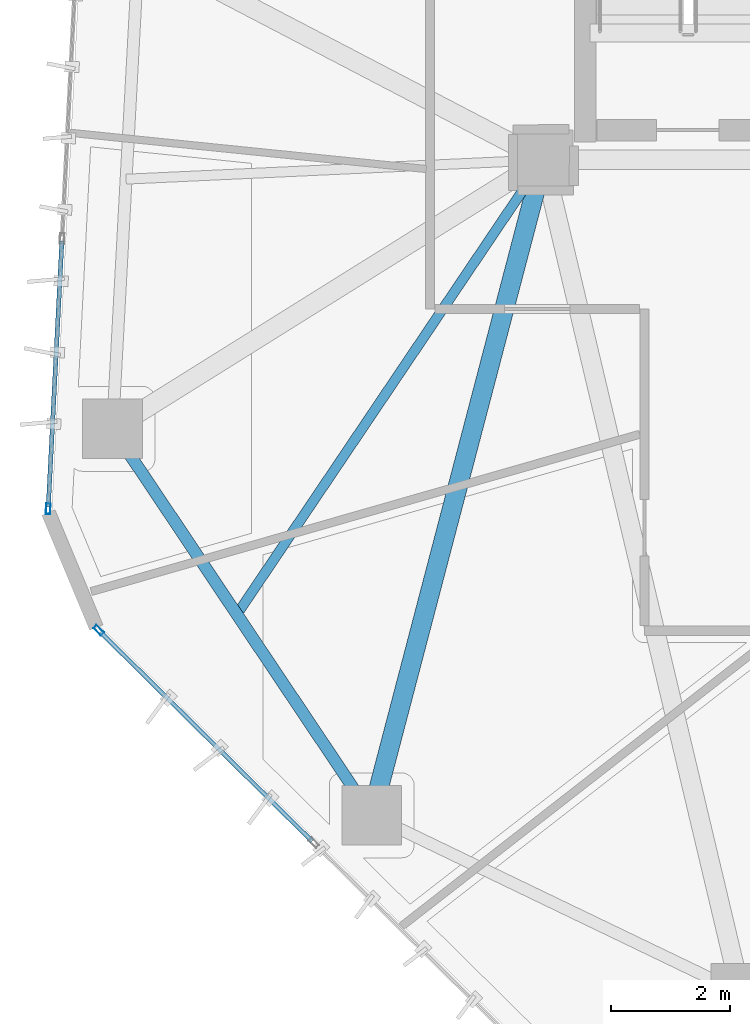
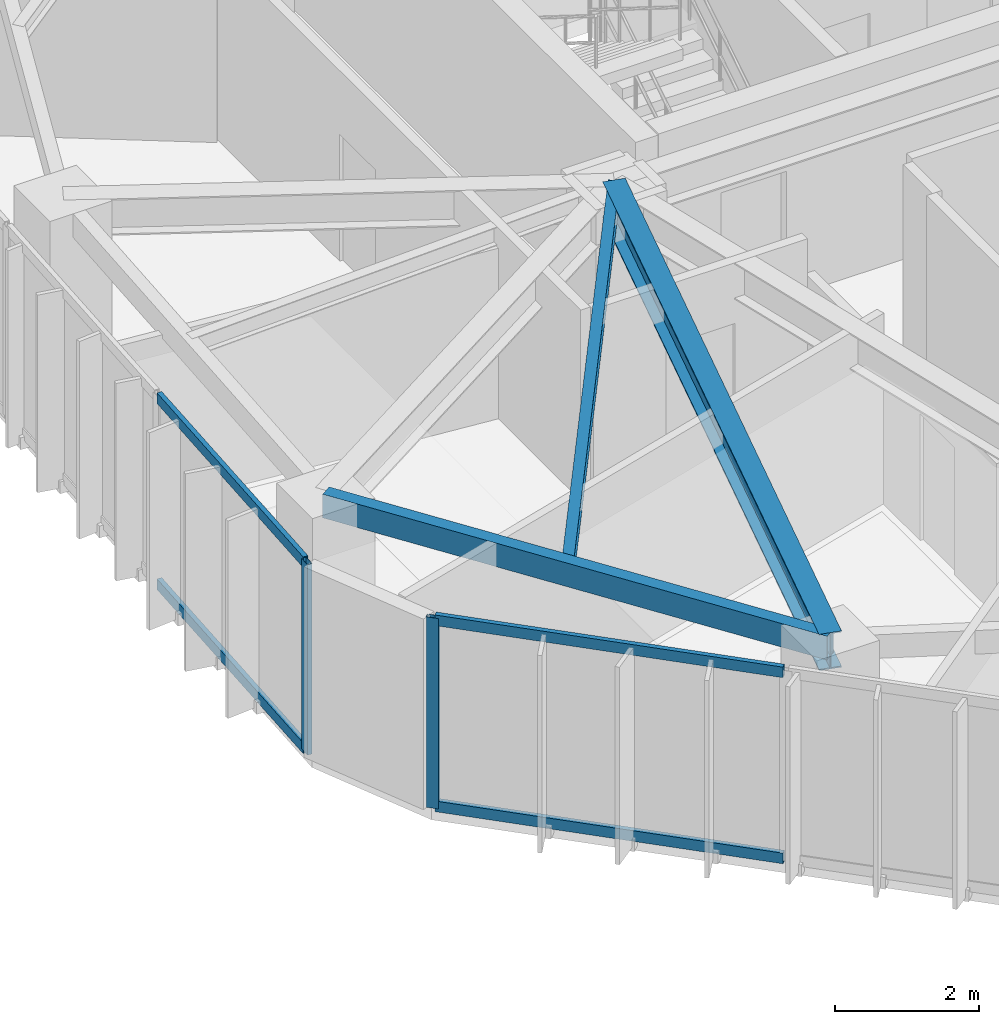
# One storey, part 3 of 19: 6 members, 3 beams, 2 elements without a shape of their own.
"""IFC4 building model written with IfcOpenShell, lengths in metres."""

from ifc_helpers import new_model, si_unit, direction, frame, origin, origin_2d, place, context, subcontext, project, spatial, hollow_rectangle, i_section, extrude, source, transform, mapped, material, layer, layer_set, material_profile, profile_set, type_object, type_shapes, element, aggregate, save


model = new_model("IFC4")

# Units and contexts
model_context = context("Model", 3, precision=1e-05, world=origin(), true_north=direction((0.0, 1.0)))
body_context = subcontext(model_context, "Body", "Model", "MODEL_VIEW")
ifc_project = project(units=[si_unit("LENGTHUNIT", "METRE"), si_unit("AREAUNIT", "SQUARE_METRE"), si_unit("VOLUMEUNIT", "CUBIC_METRE"), si_unit("PLANEANGLEUNIT", "RADIAN"), si_unit("MASSUNIT", "GRAM", prefix="KILO")], contexts=[model_context])

# Site, building, storey
site_placement = place(None, origin())
site = spatial("IfcSite", under=ifc_project, at=site_placement, CompositionType="ELEMENT")
building_placement = place(site_placement, origin())
building = spatial("IfcBuilding", under=site, at=building_placement, Name="Talar Marvaseh", CompositionType="ELEMENT")
storey_placement = place(building_placement, frame((0.0, 0.0, 218.699951171875)))
storey = spatial("IfcBuildingStorey", under=building, at=storey_placement, Name="L57", CompositionType="ELEMENT", Elevation=218.699951171875)

# Beams
ifc_material_1 = material(Name="Steel S355", Category="steel")
ifc_material_profile_1 = material_profile(ifc_material_1, hollow_rectangle(XDim=0.199951171875, YDim=0.39990234375, WallThickness=0.013916015625, at=origin_2d()), Name="RHS400x200x14")
ifc_profile_set_1 = profile_set([ifc_material_profile_1], Name="Steel S355")
beam_type_1 = type_object("IfcBeamType", Name="Zone 3 Perimeter Spandrel Beam RHS400x200x14", PredefinedType="SPANDREL", material=ifc_profile_set_1)
beam_1_placement = place(storey_placement, frame((15.819091796875, 14.5009765625, 3.030029296875), z_axis=(-0.556805579613, 0.830642851358, 0.0), x_axis=(-0.830642851358, -0.556805579613, 0.0)))
element("IfcBeam", 1, at=beam_1_placement, inside=storey, type_object=beam_type_1, Name="L57 Zone 3 Perimeter Spandrel Beam RHS400x200x14", PredefinedType="SPANDREL", context=body_context, shape_type="SweptSolid", body=[
    extrude(hollow_rectangle(XDim=0.199951171875, YDim=0.39990234375, WallThickness=0.013916015625, at=origin_2d()), origin(), (0.0, 0.0, 1.0), 7.807373046875),
])
ifc_material_profile_2 = material_profile(ifc_material_1, i_section(OverallWidth=0.324951171875, OverallDepth=0.615966796875, WebThickness=0.013916015625, FlangeThickness=0.021484375, at=origin_2d()), Name="W610x174")
ifc_profile_set_2 = profile_set([ifc_material_profile_2], Name="Steel S355")
beam_type_2 = type_object("IfcBeamType", Name="Zone 3 Radial Floor Girder W610x174", PredefinedType="BEAM", material=ifc_profile_set_2)
beam_2_placement = place(storey_placement, frame((15.819091796875, 14.5009765625, 2.922119140625), z_axis=(0.253372787776, 0.967368714821, 0.0), x_axis=(-0.967368714821, 0.253372787776, 0.0)))
element("IfcBeam", 2, at=beam_2_placement, inside=storey, type_object=beam_type_2, Name="L57 Zone 3 Radial Floor Girder W610x174", PredefinedType="BEAM", context=body_context, shape_type="SweptSolid", body=[
    extrude(i_section(OverallWidth=0.324951171875, OverallDepth=0.615966796875, WebThickness=0.013916015625, FlangeThickness=0.021484375, at=origin_2d()), origin(), (0.0, 0.0, 1.0), 11.3701171875),
])
ifc_material_profile_3 = material_profile(ifc_material_1, i_section(OverallWidth=0.166015625, OverallDepth=0.31298828125, WebThickness=0.006591796875, FlangeThickness=0.01123046875, at=origin_2d()), Name="W310x45")
ifc_profile_set_3 = profile_set([ifc_material_profile_3], Name="Steel S355")
beam_type_3 = type_object("IfcBeamType", Name="Zone 3 Secondary Floor Joist W310x45", PredefinedType="JOIST", material=ifc_profile_set_3)
beam_3_placement = place(storey_placement, frame((13.55859375, 17.873291015625, 3.073486328125), z_axis=(0.558974483718, 0.829184856683, 0.0), x_axis=(-0.829184856683, 0.558974483718, 0.0)))
element("IfcBeam", 3, at=beam_3_placement, inside=storey, type_object=beam_type_3, Name="L57 Zone 3 Secondary Floor Joist W310x45", PredefinedType="JOIST", context=body_context, shape_type="SweptSolid", body=[
    extrude(i_section(OverallWidth=0.166015625, OverallDepth=0.31298828125, WebThickness=0.006591796875, FlangeThickness=0.01123046875, at=origin_2d()), origin(), (0.0, 0.0, 1.0), 9.19775390625),
])

# Curtain wall, member
ifc_material_2 = material(Name="Architectural Aluminium", Category="aluminium")
ifc_layer = layer(ifc_material_2, 0.18994140625)
ifc_layer_set = layer_set([ifc_layer], Name="Architectural Aluminium")
curtain_wall_type = type_object("IfcCurtainWallType", Name="Unitised Solar Atelier Curtain Wall Z3", PredefinedType="NOTDEFINED", material=ifc_layer_set)
curtain_wall_1_placement = place(storey_placement, origin())
curtain_wall_1 = element("IfcCurtainWall", 4, at=curtain_wall_1_placement, inside=storey, type_object=curtain_wall_type, Name="L57 Unitised Solar Atelier Curtain Wall Z3", PredefinedType="NOTDEFINED")
ifc_material_profile_4 = material_profile(ifc_material_2, hollow_rectangle(XDim=0.074951171875, YDim=0.179931640625, WallThickness=0.0048828125, at=origin_2d()), Name="RHS180x75x5")
ifc_profile_set_4 = profile_set([ifc_material_profile_4], Name="Architectural Aluminium")
member_type_1 = type_object("IfcMemberType", Name="Unitised Curtain Wall Standard Mullion RHS180x75x5", PredefinedType="MULLION", material=ifc_profile_set_4)
shared_shape_1 = source(origin(), body_context, "Body", "SweptSolid", [
    extrude(hollow_rectangle(XDim=0.074951171875, YDim=0.179931640625, WallThickness=0.0048828125, at=origin_2d()), origin(), (0.0, 0.0, 1.0), 3.22998046875),
])
type_shapes(member_type_1, [shared_shape_1])
member_1_placement = place(storey_placement, frame((11.23828125, 17.607666015625, 0.0), z_axis=(0.0, 0.0, 1.0), x_axis=(-0.702823760868, -0.711364014524, 0.0)))
member_1 = element("IfcMember", 5, at=member_1_placement, type_object=member_type_1, Name="CW-Z3 mullion 4", PredefinedType="MULLION", context=body_context, shape_type="MappedRepresentation", body=[
    mapped(shared_shape_1, transform((0.0, 0.0, 0.0), x_axis=(1.0, 0.0, 0.0), y_axis=(0.0, 1.0, 0.0), z_axis=(0.0, 0.0, 1.0), scale=1.0)),
])

# Curtain wall, members
curtain_wall_2_placement = place(storey_placement, origin())
curtain_wall_2 = element("IfcCurtainWall", 6, at=curtain_wall_2_placement, inside=storey, type_object=curtain_wall_type, Name="L57 Unitised Solar Atelier Curtain Wall Z3", PredefinedType="NOTDEFINED")
member_2_placement = place(storey_placement, frame((10.392333984375, 19.645263671875, 0.0), z_axis=(0.0, 0.0, 1.0), x_axis=(-0.998690889639, 0.051151803012, 0.0)))
member_2 = element("IfcMember", 7, at=member_2_placement, type_object=member_type_1, Name="CW-Z3 mullion 1", PredefinedType="MULLION", context=body_context, shape_type="MappedRepresentation", body=[
    mapped(shared_shape_1, transform((0.0, 0.0, 0.0), x_axis=(1.0, 0.0, 0.0), y_axis=(0.0, 1.0, 0.0), z_axis=(0.0, 0.0, 1.0), scale=1.0)),
])
ifc_material_profile_5 = material_profile(ifc_material_2, hollow_rectangle(XDim=0.074951171875, YDim=0.179931640625, WallThickness=0.0048828125, at=origin_2d()), Name="RHS180x75x5")
ifc_profile_set_5 = profile_set([ifc_material_profile_5], Name="Architectural Aluminium")
member_type_2 = type_object("IfcMemberType", Name="Unitised Curtain Wall Transom RHS180x75x5", PredefinedType="USERDEFINED", material=ifc_profile_set_5)
shared_shape_2 = source(origin(), body_context, "Body", "SweptSolid", [
    extrude(hollow_rectangle(XDim=0.074951171875, YDim=0.179931640625, WallThickness=0.0048828125, at=origin_2d()), origin(), (0.0, 0.0, 1.0), 4.46484375),
])
member_3_placement = place(storey_placement, frame((10.394287109375, 19.6826171875, 0.03759765625), z_axis=(0.051126652757, 0.998692177489, 0.0), x_axis=(-0.998692177489, 0.051126652757, 0.0)))
member_3 = element("IfcMember", 8, at=member_3_placement, type_object=member_type_2, Name="CW-Z3 transom 1.1", ObjectType="TRANSOM", PredefinedType="USERDEFINED", context=body_context, shape_type="MappedRepresentation", body=[
    mapped(shared_shape_2, transform((0.0, 0.0, 0.0), x_axis=(1.0, 0.0, 0.0), y_axis=(0.0, 1.0, 0.0), z_axis=(0.0, 0.0, 1.0), scale=1.0)),
])
member_4_placement = place(storey_placement, frame((10.394287109375, 19.6826171875, 3.192626953125), z_axis=(0.051126652757, 0.998692177489, 0.0), x_axis=(-0.998692177489, 0.051126652757, 0.0)))
member_4 = element("IfcMember", 9, at=member_4_placement, type_object=member_type_2, Name="CW-Z3 transom 1.2", ObjectType="TRANSOM", PredefinedType="USERDEFINED", context=body_context, shape_type="MappedRepresentation", body=[
    mapped(shared_shape_2, transform((0.0, 0.0, 0.0), x_axis=(1.0, 0.0, 0.0), y_axis=(0.0, 1.0, 0.0), z_axis=(0.0, 0.0, 1.0), scale=1.0)),
])
aggregate(curtain_wall_2, [member_2, member_3, member_4])

# Member
shared_shape_3 = source(origin(), body_context, "Body", "SweptSolid", [
    extrude(hollow_rectangle(XDim=0.074951171875, YDim=0.179931640625, WallThickness=0.0048828125, at=origin_2d()), origin(), (0.0, 0.0, 1.0), 5.00048828125),
])
type_shapes(member_type_2, [shared_shape_2, shared_shape_3])
member_5_placement = place(storey_placement, frame((14.822265625, 14.06689453125, 0.03759765625), z_axis=(-0.711390093334, 0.702797364185, 0.0), x_axis=(-0.702797364185, -0.711390093334, 0.0)))
member_5 = element("IfcMember", 10, at=member_5_placement, type_object=member_type_2, Name="CW-Z3 transom 3.1", ObjectType="TRANSOM", PredefinedType="USERDEFINED", context=body_context, shape_type="MappedRepresentation", body=[
    mapped(shared_shape_3, transform((0.0, 0.0, 0.0), x_axis=(1.0, 0.0, 0.0), y_axis=(0.0, 1.0, 0.0), z_axis=(0.0, 0.0, 1.0), scale=1.0)),
])

member_6_placement = place(storey_placement, frame((14.822265625, 14.06689453125, 3.192626953125), z_axis=(-0.711390093334, 0.702797364185, 0.0), x_axis=(-0.702797364185, -0.711390093334, 0.0)))
member_6 = element("IfcMember", 11, at=member_6_placement, type_object=member_type_2, Name="CW-Z3 transom 3.2", ObjectType="TRANSOM", PredefinedType="USERDEFINED", context=body_context, shape_type="MappedRepresentation", body=[
    mapped(shared_shape_3, transform((0.0, 0.0, 0.0), x_axis=(1.0, 0.0, 0.0), y_axis=(0.0, 1.0, 0.0), z_axis=(0.0, 0.0, 1.0), scale=1.0)),
])

aggregate(curtain_wall_1, [member_1, member_5, member_6])

save(model, "model.ifc")
